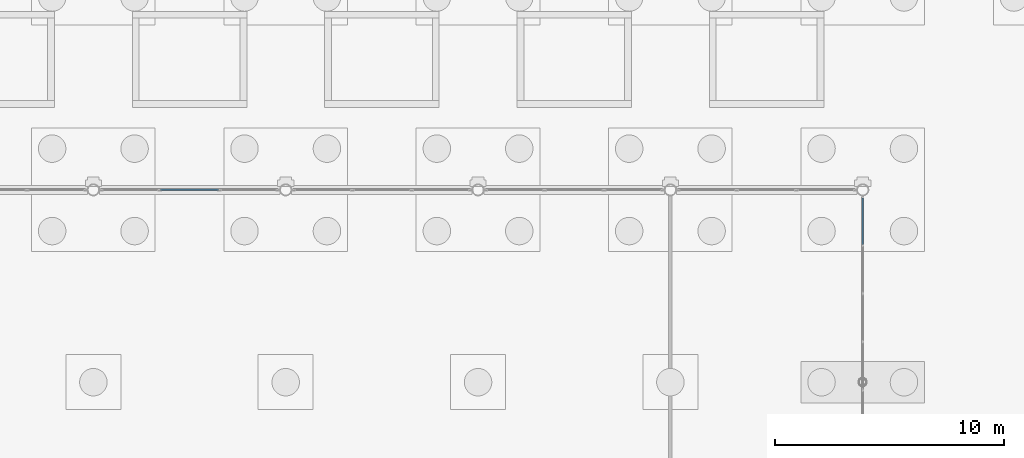
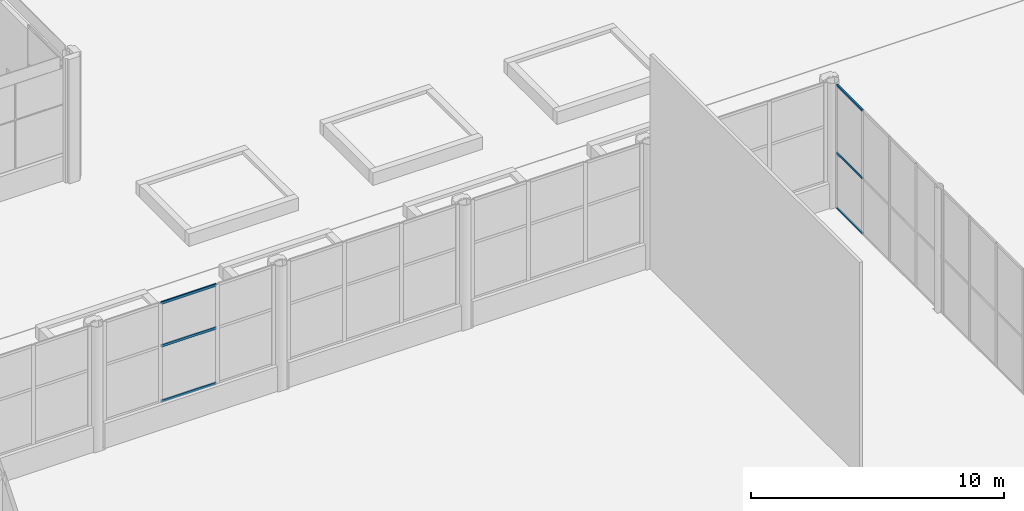
# One storey, part 153 of 212: 6 members, 2 elements without a shape of their own.
"""IFC4 building model written with IfcOpenShell, lengths in metres."""

from ifc_helpers import new_model, si_unit, direction, frame, origin, origin_2d, place, context, subcontext, project, spatial, hollow_rectangle, extrude, material, material_profile, profile_set, type_object, element, aggregate, save


model = new_model("IFC4")

# Units and contexts
model_context = context("Model", 3, precision=1e-05, world=origin(), true_north=direction((0.0, 1.0)))
body_context = subcontext(model_context, "Body", "Model", "MODEL_VIEW")
ifc_project = project(units=[si_unit("LENGTHUNIT", "METRE"), si_unit("AREAUNIT", "SQUARE_METRE"), si_unit("VOLUMEUNIT", "CUBIC_METRE"), si_unit("PLANEANGLEUNIT", "RADIAN"), si_unit("MASSUNIT", "GRAM", prefix="KILO")], contexts=[model_context])

# Site, building, storey
site_placement = place(None, origin())
site = spatial("IfcSite", under=ifc_project, at=site_placement, CompositionType="ELEMENT")
building_placement = place(site_placement, origin())
building = spatial("IfcBuilding", under=site, at=building_placement, Name="Catenary Quay Ferry Terminal", CompositionType="ELEMENT")
storey_placement = place(building_placement, origin())
storey = spatial("IfcBuildingStorey", under=building, at=storey_placement, Name="L00", CompositionType="ELEMENT", Elevation=0.0)

# Curtain wall, members
ifc_material_1 = material(Name="Aluminium and glass", Category="aluminium")
curtain_wall_type_1 = type_object("IfcCurtainWallType", Name="CWG", PredefinedType="NOTDEFINED", material=ifc_material_1)
curtain_wall_1_placement = place(storey_placement, origin())
curtain_wall_1 = element("IfcCurtainWall", 1, at=curtain_wall_1_placement, inside=storey, type_object=curtain_wall_type_1, Name="Gable departure hall curtain wall CW19", PredefinedType="NOTDEFINED")
ifc_material_2 = material(Name="Aluminium", Category="aluminium")
ifc_material_profile_1 = material_profile(ifc_material_2, hollow_rectangle(XDim=0.06005859375, YDim=0.10009765625, WallThickness=0.0048828125, at=origin_2d()), Name="TR2")
ifc_profile_set_1 = profile_set([ifc_material_profile_1], Name="Aluminium")
member_type_1 = type_object("IfcMemberType", Name="TR2", PredefinedType="USERDEFINED", material=ifc_profile_set_1)
member_1_placement = place(storey_placement, frame((92.39990234375, 140.41748046875, 0.030029296875), z_axis=(0.0, 1.0, 0.0), x_axis=(-1.0, 0.0, 0.0)))
member_1 = element("IfcMember", 2, at=member_1_placement, type_object=member_type_1, Name="CW19 transom 12.1", ObjectType="TRANSOM", PredefinedType="USERDEFINED", context=body_context, shape_type="SweptSolid", body=[
    extrude(hollow_rectangle(XDim=0.06005859375, YDim=0.10009765625, WallThickness=0.0048828125, at=origin_2d()), origin(), (0.0, 0.0, 1.0), 2.0224609375),
])
member_2_placement = place(storey_placement, frame((92.39990234375, 140.41748046875, 2.699951171875), z_axis=(0.0, 1.0, 0.0), x_axis=(-1.0, 0.0, 0.0)))
member_2 = element("IfcMember", 3, at=member_2_placement, type_object=member_type_1, Name="CW19 transom 12.2", ObjectType="TRANSOM", PredefinedType="USERDEFINED", context=body_context, shape_type="SweptSolid", body=[
    extrude(hollow_rectangle(XDim=0.06005859375, YDim=0.10009765625, WallThickness=0.0048828125, at=origin_2d()), origin(), (0.0, 0.0, 1.0), 2.0224609375),
])
member_3_placement = place(storey_placement, frame((92.39990234375, 140.41748046875, 5.969970703125), z_axis=(0.0, 1.0, 0.0), x_axis=(-1.0, 0.0, 0.0)))
member_3 = element("IfcMember", 4, at=member_3_placement, type_object=member_type_1, Name="CW19 transom 12.3", ObjectType="TRANSOM", PredefinedType="USERDEFINED", context=body_context, shape_type="SweptSolid", body=[
    extrude(hollow_rectangle(XDim=0.06005859375, YDim=0.10009765625, WallThickness=0.0048828125, at=origin_2d()), origin(), (0.0, 0.0, 1.0), 2.0224609375),
])
aggregate(curtain_wall_1, [member_1, member_2, member_3])

ifc_material_3 = material(Name="Aluminium and glass", Category="aluminium")
curtain_wall_type_2 = type_object("IfcCurtainWallType", Name="CWH", PredefinedType="NOTDEFINED", material=ifc_material_3)
curtain_wall_2_placement = place(storey_placement, origin())
curtain_wall_2 = element("IfcCurtainWall", 5, at=curtain_wall_2_placement, inside=storey, type_object=curtain_wall_type_2, Name="Hall curtain wall CW44", PredefinedType="NOTDEFINED")
ifc_material_4 = material(Name="Aluminium", Category="aluminium")
ifc_material_profile_2 = material_profile(ifc_material_4, hollow_rectangle(XDim=0.06005859375, YDim=0.1201171875, WallThickness=0.0048828125, at=origin_2d()), Name="TR3")
ifc_profile_set_2 = profile_set([ifc_material_profile_2], Name="Aluminium")
member_type_2 = type_object("IfcMemberType", Name="TR3", PredefinedType="USERDEFINED", material=ifc_profile_set_2)
member_4_placement = place(storey_placement, frame((61.735107421875, 142.800048828125, 1.22998046875), z_axis=(1.0, 0.0, 0.0), x_axis=(0.0, 1.0, 0.0)))
member_4 = element("IfcMember", 6, at=member_4_placement, type_object=member_type_2, Name="CW44 transom 2.1", ObjectType="TRANSOM", PredefinedType="USERDEFINED", context=body_context, shape_type="SweptSolid", body=[
    extrude(hollow_rectangle(XDim=0.06005859375, YDim=0.1201171875, WallThickness=0.0048828125, at=origin_2d()), origin(), (0.0, 0.0, 1.0), 2.52978515625),
])
member_5_placement = place(storey_placement, frame((61.735107421875, 142.800048828125, 3.89990234375), z_axis=(1.0, 0.0, 0.0), x_axis=(0.0, 1.0, 0.0)))
member_5 = element("IfcMember", 7, at=member_5_placement, type_object=member_type_2, Name="CW44 transom 2.2", ObjectType="TRANSOM", PredefinedType="USERDEFINED", context=body_context, shape_type="SweptSolid", body=[
    extrude(hollow_rectangle(XDim=0.06005859375, YDim=0.1201171875, WallThickness=0.0048828125, at=origin_2d()), origin(), (0.0, 0.0, 1.0), 2.52978515625),
])
member_6_placement = place(storey_placement, frame((61.735107421875, 142.800048828125, 5.969970703125), z_axis=(1.0, 0.0, 0.0), x_axis=(0.0, 1.0, 0.0)))
member_6 = element("IfcMember", 8, at=member_6_placement, type_object=member_type_2, Name="CW44 transom 2.3", ObjectType="TRANSOM", PredefinedType="USERDEFINED", context=body_context, shape_type="SweptSolid", body=[
    extrude(hollow_rectangle(XDim=0.06005859375, YDim=0.1201171875, WallThickness=0.0048828125, at=origin_2d()), origin(), (0.0, 0.0, 1.0), 2.52978515625),
])
aggregate(curtain_wall_2, [member_4, member_5, member_6])

save(model, "model.ifc")
